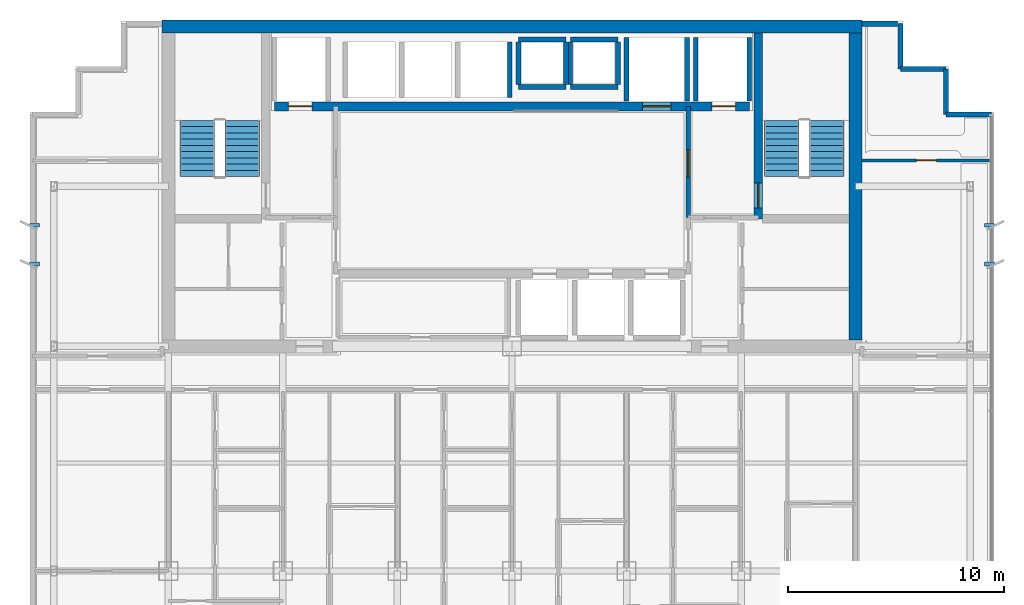
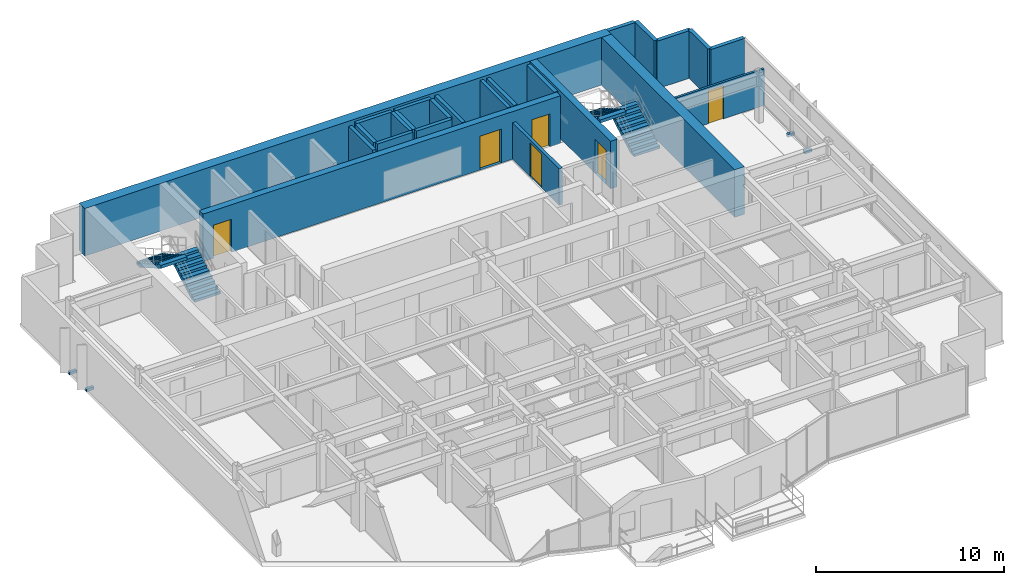
# One storey, part 11 of 13: 24 walls, 6 doors, 4 discrete accessories, 4 stair flights, 6 openings, 2 elements without a shape of their own.
"""IFC4 building model written with IfcOpenShell, lengths in metres."""

from ifc_helpers import new_model, si_unit, direction, frame, frame_2d, origin, origin_2d, place, context, subcontext, project, spatial, polyline, rectangle, outline, extrude, source, transform, mapped, material, layer, layer_set, type_object, element, fill, aggregate, save


model = new_model("IFC4")

# Units and contexts
model_context = context("Model", 3, precision=1e-05, world=origin(), true_north=direction((0.0, 1.0)))
body_context = subcontext(model_context, "Body", "Model", "MODEL_VIEW")
ifc_project = project(units=[si_unit("LENGTHUNIT", "METRE"), si_unit("AREAUNIT", "SQUARE_METRE"), si_unit("VOLUMEUNIT", "CUBIC_METRE"), si_unit("PLANEANGLEUNIT", "RADIAN"), si_unit("MASSUNIT", "GRAM", prefix="KILO")], contexts=[model_context])

# Site, building, storey
site_placement = place(None, origin())
site = spatial("IfcSite", under=ifc_project, at=site_placement, CompositionType="ELEMENT")
building_placement = place(site_placement, origin())
building = spatial("IfcBuilding", under=site, at=building_placement, Name="Qianlan Lanfeng Residences", CompositionType="ELEMENT")
storey_placement = place(building_placement, frame((0.0, 0.0, 159.0)))
storey = spatial("IfcBuildingStorey", under=building, at=storey_placement, Name="L43", CompositionType="ELEMENT", Elevation=159.0)

# Wall, opening, door
ifc_material_1 = material(Name="Concrete C56", Category="concrete")
ifc_layer_1 = layer(ifc_material_1, 0.39990234375)
ifc_layer_set_1 = layer_set([ifc_layer_1], Name="Concrete C56")
wall_type_1 = type_object("IfcWallType", Name="CW-RC-400", PredefinedType="SHEAR", material=ifc_layer_set_1)
wall_1_placement = place(storey_placement, frame((37.89990234375, 31.10009765625, 0.0), z_axis=(0.0, 0.0, 1.0), x_axis=(0.0, 1.0, 0.0)))
wall_1 = element("IfcWall", 1, at=wall_1_placement, inside=storey, type_object=wall_type_1, Name="L43 Core Shear Wall ST2W", PredefinedType="SHEAR", context=body_context, shape_type="SweptSolid", body=[
    extrude(rectangle(XDim=8.599853515625, YDim=0.39990234375, at=frame_2d((4.2998046875, 0.0))), origin(), (0.0, 0.0, 1.0), 3.10009765625),
])
opening_1_placement = place(wall_1_placement, frame((0.510009765625, 0.0, 0.0)))
opening_1 = element("IfcOpeningElement", 2, at=opening_1_placement, cuts=wall_1, Name="Opening L43-D08", PredefinedType="OPENING", context=body_context, shape_type="SweptSolid", body=[
    extrude(rectangle(XDim=1.14990234375, YDim=2.199951171875, at=frame_2d((0.574951171875, 1.10009765625))), frame((0.0, 0.2099609375, 0.0), z_axis=(0.0, -1.0, 0.0), x_axis=(1.0, 0.0, 0.0)), (0.0, 0.0, 1.0), 0.419921875),
])
ifc_material_2 = material(Name="Painted Galvanised Steel Fire Door", Category="steel")
door_type_1 = type_object("IfcDoorType", Name="DT-ST1", OperationType="NOTDEFINED", PredefinedType="DOOR", material=ifc_material_2)
door_1_placement = place(opening_1_placement, origin())
door_1 = element("IfcDoor", 3, at=door_1_placement, inside=storey, type_object=door_type_1, Name="L43 Exit Stair ST-2 Door L43-D08 (DT-ST1)", OperationType="SINGLE_SWING_RIGHT", OverallHeight=2.199951171875, OverallWidth=1.14990234375, PredefinedType="DOOR", context=body_context, shape_type="SweptSolid", body=[
    extrude(rectangle(XDim=1.14990234375, YDim=2.199951171875, at=frame_2d((0.574951171875, 1.10009765625))), frame((0.0, 0.02490234375, 0.0), z_axis=(0.0, -1.0, 0.0), x_axis=(1.0, 0.0, 0.0)), (0.0, 0.0, 1.0), 0.050048828125),
])
fill(opening_1, door_1)

# Wall, openings, doors
wall_2_placement = place(storey_placement, frame((15.5, 36.300048828125, 0.0), z_axis=(0.0, 0.0, 1.0), x_axis=(1.0, 0.0, 0.0)))
wall_2 = element("IfcWall", 4, at=wall_2_placement, inside=storey, type_object=wall_type_1, Name="L43 Core Shear Wall LBN", PredefinedType="SHEAR", context=body_context, shape_type="SweptSolid", body=[
    extrude(rectangle(XDim=22.0, YDim=0.39990234375, at=frame_2d((11.0, 0.0))), origin(), (0.0, 0.0, 1.0), 3.10009765625),
])
opening_2_placement = place(wall_2_placement, frame((0.64990234375, 0.0, 0.0)))
opening_2 = element("IfcOpeningElement", 5, at=opening_2_placement, cuts=wall_2, Name="Opening L43-LD-FFL-1", PredefinedType="OPENING", context=body_context, shape_type="SweptSolid", body=[
    extrude(rectangle(XDim=1.10009765625, YDim=2.14990234375, at=frame_2d((0.550048828125, 1.074951171875))), frame((0.0, 0.2099609375, 0.0), z_axis=(0.0, -1.0, 0.0), x_axis=(1.0, 0.0, 0.0)), (0.0, 0.0, 1.0), 0.419921875),
])
opening_3_placement = place(wall_2_placement, frame((20.25, 0.0, 0.0)))
opening_3 = element("IfcOpeningElement", 6, at=opening_3_placement, cuts=wall_2, Name="Opening L43-LD-FFL-2", PredefinedType="OPENING", context=body_context, shape_type="SweptSolid", body=[
    extrude(rectangle(XDim=1.10009765625, YDim=2.14990234375, at=frame_2d((0.550048828125, 1.074951171875))), frame((0.0, 0.2099609375, 0.0), z_axis=(0.0, -1.0, 0.0), x_axis=(1.0, 0.0, 0.0)), (0.0, 0.0, 1.0), 0.419921875),
])
opening_4_placement = place(wall_2_placement, frame((17.050048828125, 0.0, 0.0)))
opening_4 = element("IfcOpeningElement", 7, at=opening_4_placement, cuts=wall_2, Name="Opening L43-LD-SVL-1", PredefinedType="OPENING", context=body_context, shape_type="SweptSolid", body=[
    extrude(rectangle(XDim=1.300048828125, YDim=2.199951171875, at=frame_2d((0.64990234375, 1.10009765625))), frame((0.0, 0.2099609375, 0.0), z_axis=(0.0, -1.0, 0.0), x_axis=(1.0, 0.0, 0.0)), (0.0, 0.0, 1.0), 0.419921875),
])
ifc_material_3 = material(Name="Brushed Stainless Steel Sliding Lift Door", Category="steel")
door_type_2 = type_object("IfcDoorType", Name="LD-01", OperationType="NOTDEFINED", PredefinedType="DOOR", material=ifc_material_3)
door_2_placement = place(opening_2_placement, frame((1.10009765625, 0.0, 0.0), z_axis=(0.0, 0.0, 1.0), x_axis=(-1.0, 0.0, 0.0)))
door_2 = element("IfcDoor", 8, at=door_2_placement, inside=storey, type_object=door_type_2, Name="L43 Elevator FFL-1 Sliding Landing Door", OperationType="DOUBLE_DOOR_SLIDING", OverallHeight=2.14990234375, OverallWidth=1.10009765625, PredefinedType="DOOR", context=body_context, shape_type="SweptSolid", body=[
    extrude(rectangle(XDim=1.10009765625, YDim=2.14990234375, at=frame_2d((0.550048828125, 1.074951171875))), frame((0.0, 0.02490234375, 0.0), z_axis=(0.0, -1.0, 0.0), x_axis=(1.0, 0.0, 0.0)), (0.0, 0.0, 1.0), 0.050048828125),
])
fill(opening_2, door_2)
door_3_placement = place(opening_3_placement, frame((1.10009765625, 0.0, 0.0), z_axis=(0.0, 0.0, 1.0), x_axis=(-1.0, 0.0, 0.0)))
door_3 = element("IfcDoor", 9, at=door_3_placement, inside=storey, type_object=door_type_2, Name="L43 Elevator FFL-2 Sliding Landing Door", OperationType="DOUBLE_DOOR_SLIDING", OverallHeight=2.14990234375, OverallWidth=1.10009765625, PredefinedType="DOOR", context=body_context, shape_type="SweptSolid", body=[
    extrude(rectangle(XDim=1.10009765625, YDim=2.14990234375, at=frame_2d((0.550048828125, 1.074951171875))), frame((0.0, 0.02490234375, 0.0), z_axis=(0.0, -1.0, 0.0), x_axis=(1.0, 0.0, 0.0)), (0.0, 0.0, 1.0), 0.050048828125),
])
fill(opening_3, door_3)
door_type_3 = type_object("IfcDoorType", Name="LD-02", OperationType="NOTDEFINED", PredefinedType="DOOR", material=ifc_material_3)
door_4_placement = place(opening_4_placement, frame((1.300048828125, 0.0, 0.0), z_axis=(0.0, 0.0, 1.0), x_axis=(-1.0, 0.0, 0.0)))
door_4 = element("IfcDoor", 10, at=door_4_placement, inside=storey, type_object=door_type_3, Name="L43 Elevator SVL-1 Sliding Landing Door", OperationType="DOUBLE_DOOR_SLIDING", OverallHeight=2.199951171875, OverallWidth=1.300048828125, PredefinedType="DOOR", context=body_context, shape_type="SweptSolid", body=[
    extrude(rectangle(XDim=1.300048828125, YDim=2.199951171875, at=frame_2d((0.64990234375, 1.10009765625))), frame((0.0, 0.02490234375, 0.0), z_axis=(0.0, -1.0, 0.0), x_axis=(1.0, 0.0, 0.0)), (0.0, 0.0, 1.0), 0.050048828125),
])
fill(opening_4, door_4)

# Walls
ifc_layer_2 = layer(ifc_material_1, 0.60009765625)
ifc_layer_set_2 = layer_set([ifc_layer_2], Name="Concrete C56")
wall_type_2 = type_object("IfcWallType", Name="CW-RC-600", PredefinedType="SHEAR", material=ifc_layer_set_2)
wall_3_placement = place(storey_placement, frame((10.300048828125, 40.0, 0.0), z_axis=(0.0, 0.0, 1.0), x_axis=(1.0, 0.0, 0.0)))
element("IfcWall", 11, at=wall_3_placement, inside=storey, type_object=wall_type_2, Name="L43 Core Shear Wall N", PredefinedType="SHEAR", context=body_context, shape_type="SweptSolid", body=[
    extrude(rectangle(XDim=32.39990234375, YDim=0.60009765625, at=frame_2d((16.199951171875, 0.0))), origin(), (0.0, 0.0, 1.0), 3.10009765625),
])
wall_4_placement = place(storey_placement, frame((42.39990234375, 25.5, 0.0), z_axis=(0.0, 0.0, 1.0), x_axis=(0.0, 1.0, 0.0)))
element("IfcWall", 12, at=wall_4_placement, inside=storey, type_object=wall_type_2, Name="L43 Core Shear Wall E", PredefinedType="SHEAR", context=body_context, shape_type="SweptSolid", body=[
    extrude(rectangle(XDim=14.199951171875, YDim=0.60009765625, at=frame_2d((7.10009765625, 0.0))), origin(), (0.0, 0.0, 1.0), 3.10009765625),
])
ifc_material_4 = material(Name="Concrete C42", Category="concrete")
ifc_layer_3 = layer(ifc_material_4, 0.239990234375)
ifc_layer_set_3 = layer_set([ifc_layer_3], Name="Concrete C42")
wall_type_3 = type_object("IfcWallType", Name="EW-240", PredefinedType="SOLIDWALL", material=ifc_layer_set_3)
wall_5_placement = place(storey_placement, frame((48.679931640625, 35.929931640625, 0.0), z_axis=(0.0, 0.0, 1.0), x_axis=(-1.0, 0.0, 0.0)))
element("IfcWall", 13, at=wall_5_placement, inside=storey, type_object=wall_type_3, Name="L43 Exterior Facade Spandrel Wall 11", PredefinedType="SOLIDWALL", context=body_context, shape_type="SweptSolid", body=[
    extrude(rectangle(XDim=2.099853515625, YDim=0.239990234375, at=frame_2d((1.0498046875, 0.0))), origin(), (0.0, 0.0, 1.0), 3.10009765625),
])
for number, where, z_axis, x_axis, name in (
    (14, (46.580078125, 35.929931640625, 0.0), (0.0, 0.0, 1.0), (0.0, 1.0, 0.0), "L43 Exterior Facade Spandrel Wall 12"),
    (15, (46.580078125, 38.030029296875, 0.0), (0.0, 0.0, 1.0), (-1.0, 0.0, 0.0), "L43 Exterior Facade Spandrel Wall 13"),
):
    element("IfcWall", number, at=place(storey_placement, frame(where, z_axis=z_axis, x_axis=x_axis)), inside=storey, type_object=wall_type_3, Name=name, PredefinedType="SOLIDWALL", context=body_context, shape_type="SweptSolid", body=[
        extrude(rectangle(XDim=2.10009765625, YDim=0.239990234375, at=frame_2d((1.050048828125, 0.0))), origin(), (0.0, 0.0, 1.0), 3.10009765625),
    ])
wall_6_placement = place(storey_placement, frame((44.47998046875, 38.030029296875, 0.0), z_axis=(0.0, 0.0, 1.0), x_axis=(0.0, 1.0, 0.0)))
element("IfcWall", 16, at=wall_6_placement, inside=storey, type_object=wall_type_3, Name="L43 Exterior Facade Spandrel Wall 14", PredefinedType="SOLIDWALL", context=body_context, shape_type="SweptSolid", body=[
    extrude(rectangle(XDim=2.099853515625, YDim=0.239990234375, at=frame_2d((1.0498046875, 0.0))), origin(), (0.0, 0.0, 1.0), 3.10009765625),
])
wall_7_placement = place(storey_placement, frame((44.35009765625, 40.1298828125, 0.0), z_axis=(0.0, 0.0, 1.0), x_axis=(-1.0, 0.0, 0.0)))
element("IfcWall", 17, at=wall_7_placement, inside=storey, type_object=wall_type_3, Name="L43 North Wing Exterior Wall E", PredefinedType="SOLIDWALL", context=body_context, shape_type="SweptSolid", body=[
    extrude(rectangle(XDim=1.650146484375, YDim=0.239990234375, at=frame_2d((0.8251953125, 0.0))), origin(), (0.0, 0.0, 1.0), 3.10009765625),
])

# Wall, opening, door
ifc_material_5 = material(Name="Moisture-Resistant Gypsum Partition 135 mm")
ifc_layer_4 = layer(ifc_material_5, 0.135009765625)
ifc_layer_set_4 = layer_set([ifc_layer_4], Name="Moisture-Resistant Gypsum Partition 135 mm")
wall_type_4 = type_object("IfcWallType", Name="PW-135", PredefinedType="PARTITIONING", material=ifc_layer_set_4)
wall_8_placement = place(storey_placement, frame((42.699951171875, 33.800048828125, 0.0), z_axis=(0.0, 0.0, 1.0), x_axis=(1.0, 0.0, 0.0)))
wall_8 = element("IfcWall", 18, at=wall_8_placement, inside=storey, type_object=wall_type_4, Name="L43 EW North Wing Wall", PredefinedType="PARTITIONING", context=body_context, shape_type="SweptSolid", body=[
    extrude(rectangle(XDim=5.97998046875, YDim=0.135009765625, at=frame_2d((2.989990234375, 0.0))), origin(), (0.0, 0.0, 1.0), 2.3798828125),
])
opening_5_placement = place(wall_8_placement, frame((2.530029296875, 0.0, 0.0)))
opening_5 = element("IfcOpeningElement", 19, at=opening_5_placement, cuts=wall_8, Name="Opening L43-D53", PredefinedType="OPENING", context=body_context, shape_type="SweptSolid", body=[
    extrude(rectangle(XDim=0.919921875, YDim=2.14990234375, at=frame_2d((0.4599609375, 1.074951171875))), frame((0.0, 0.07763671875, 0.0), z_axis=(0.0, -1.0, 0.0), x_axis=(1.0, 0.0, 0.0)), (0.0, 0.0, 1.0), 0.155029296875),
])
ifc_material_6 = material(Name="Glazed Timber Kitchen/Study Door", Category="wood")
door_type_4 = type_object("IfcDoorType", Name="DT-INT", OperationType="NOTDEFINED", PredefinedType="DOOR", material=ifc_material_6)
door_5_placement = place(opening_5_placement, origin())
door_5 = element("IfcDoor", 20, at=door_5_placement, inside=storey, type_object=door_type_4, Name="L43 EW Inner Salon Door L43-D53 (DT-INT)", OperationType="SINGLE_SWING_RIGHT", OverallHeight=2.14990234375, OverallWidth=0.919921875, PredefinedType="DOOR", context=body_context, shape_type="SweptSolid", body=[
    extrude(rectangle(XDim=0.919921875, YDim=2.14990234375, at=frame_2d((0.4599609375, 1.074951171875))), frame((0.0, 0.02490234375, 0.0), z_axis=(0.0, -1.0, 0.0), x_axis=(1.0, 0.0, 0.0)), (0.0, 0.0, 1.0), 0.050048828125),
])
fill(opening_5, door_5)

ifc_material_7 = material(Name="Autoclaved Aerated Concrete Blockwork 200 mm", Category="masonry")
ifc_layer_5 = layer(ifc_material_7, 0.199951171875)
ifc_layer_set_5 = layer_set([ifc_layer_5], Name="Autoclaved Aerated Concrete Blockwork 200 mm")
wall_type_5 = type_object("IfcWallType", Name="PW-200", PredefinedType="PARTITIONING", material=ifc_layer_set_5)
wall_9_placement = place(storey_placement, frame((34.64990234375, 31.14990234375, 0.0), z_axis=(0.0, 0.0, 1.0), x_axis=(0.0, 1.0, 0.0)))
wall_9 = element("IfcWall", 21, at=wall_9_placement, inside=storey, type_object=wall_type_5, Name="L43 Firefighting Lobby 2 West Wall", PredefinedType="PARTITIONING", context=body_context, shape_type="SweptSolid", body=[
    extrude(rectangle(XDim=5.150146484375, YDim=0.199951171875, at=frame_2d((2.5751953125, 0.0))), origin(), (0.0, 0.0, 1.0), 2.3798828125),
])
opening_6_placement = place(wall_9_placement, frame((1.875, 0.0, 0.0)))
opening_6 = element("IfcOpeningElement", 22, at=opening_6_placement, cuts=wall_9, Name="Opening L43-D06", PredefinedType="OPENING", context=body_context, shape_type="SweptSolid", body=[
    extrude(rectangle(XDim=1.25, YDim=2.199951171875, at=frame_2d((0.625, 1.10009765625))), frame((0.0, 0.10986328125, 0.0), z_axis=(0.0, -1.0, 0.0), x_axis=(1.0, 0.0, 0.0)), (0.0, 0.0, 1.0), 0.219970703125),
])
door_type_5 = type_object("IfcDoorType", Name="DT-FFL", OperationType="NOTDEFINED", PredefinedType="DOOR", material=ifc_material_2)
door_6_placement = place(opening_6_placement, origin())
door_6 = element("IfcDoor", 23, at=door_6_placement, inside=storey, type_object=door_type_5, Name="L43 Firefighting Lobby 2 Lift Lobby Door L43-D06 (DT-FFL)", OperationType="SINGLE_SWING_LEFT", OverallHeight=2.199951171875, OverallWidth=1.25, PredefinedType="DOOR", context=body_context, shape_type="SweptSolid", body=[
    extrude(rectangle(XDim=1.25, YDim=2.199951171875, at=frame_2d((0.625, 1.10009765625))), frame((0.0, 0.02490234375, 0.0), z_axis=(0.0, -1.0, 0.0), x_axis=(1.0, 0.0, 0.0)), (0.0, 0.0, 1.0), 0.050048828125),
])
fill(opening_6, door_6)

# Walls
ifc_material_8 = material(Name="Concrete C49", Category="concrete")
ifc_layer_6 = layer(ifc_material_8, 0.219970703125)
ifc_layer_set_6 = layer_set([ifc_layer_6], Name="Concrete C49")
wall_type_6 = type_object("IfcWallType", Name="SHW-220", PredefinedType="SOLIDWALL", material=ifc_layer_set_6)
for number, where, z_axis, x_axis, name in (
    (24, (35.0, 36.550048828125, 0.0), (0.0, 0.0, 1.0), (0.0, 1.0, 0.0), "L43 Lift FFL-2 Shaft Wall W"),
    (25, (37.47998046875, 36.550048828125, 0.0), (0.0, 0.0, 1.0), (0.0, 1.0, 0.0), "L43 Lift FFL-2 Shaft Wall E"),
    (26, (31.800048828125, 36.550048828125, 0.0), (0.0, 0.0, 1.0), (0.0, 1.0, 0.0), "L43 Lift SVL-1 Shaft Wall W"),
    (27, (34.60009765625, 36.550048828125, 0.0), (0.0, 0.0, 1.0), (0.0, 1.0, 0.0), "L43 Lift SVL-1 Shaft Wall E"),
):
    element("IfcWall", number, at=place(storey_placement, frame(where, z_axis=z_axis, x_axis=x_axis)), inside=storey, type_object=wall_type_6, Name=name, PredefinedType="SOLIDWALL", context=body_context, shape_type="SweptSolid", body=[
        extrude(rectangle(XDim=2.929931640625, YDim=0.219970703125, at=frame_2d((1.46484375, 0.0))), origin(), (0.0, 0.0, 1.0), 3.10009765625),
    ])
wall_10_placement = place(storey_placement, frame((26.39990234375, 36.719970703125, 0.0), z_axis=(0.0, 0.0, 1.0), x_axis=(0.0, 1.0, 0.0)))
element("IfcWall", 28, at=wall_10_placement, inside=storey, type_object=wall_type_6, Name="L43 Lift PL-H3 Shaft Wall E", PredefinedType="SOLIDWALL", context=body_context, shape_type="SweptSolid", body=[
    extrude(rectangle(XDim=2.56005859375, YDim=0.219970703125, at=frame_2d((1.280029296875, 0.0))), origin(), (0.0, 0.0, 1.0), 3.10009765625),
])
for number, where, z_axis, x_axis, name in (
    (29, (26.800048828125, 37.31005859375, 0.0), (0.0, 0.0, 1.0), (0.0, 1.0, 0.0), "L43 MEP Riser MEP-R1 Shaft Wall W"),
    (30, (29.0, 37.31005859375, 0.0), (0.0, 0.0, 1.0), (0.0, 1.0, 0.0), "L43 MEP Riser MEP-R1 Shaft Wall E"),
):
    element("IfcWall", number, at=place(storey_placement, frame(where, z_axis=z_axis, x_axis=x_axis)), inside=storey, type_object=wall_type_6, Name=name, PredefinedType="SOLIDWALL", context=body_context, shape_type="SweptSolid", body=[
        extrude(rectangle(XDim=1.97998046875, YDim=0.219970703125, at=frame_2d((0.989990234375, 0.0))), origin(), (0.0, 0.0, 1.0), 3.10009765625),
    ])
for number, where, z_axis, x_axis, name in (
    (31, (26.800048828125, 39.39990234375, 0.0), (0.0, 0.0, 1.0), (1.0, 0.0, 0.0), "L43 MEP Riser MEP-R1 Shaft Wall N"),
    (32, (26.800048828125, 37.199951171875, 0.0), (0.0, 0.0, 1.0), (1.0, 0.0, 0.0), "L43 MEP Riser MEP-R1 Shaft Wall S"),
):
    element("IfcWall", number, at=place(storey_placement, frame(where, z_axis=z_axis, x_axis=x_axis)), inside=storey, type_object=wall_type_6, Name=name, PredefinedType="SOLIDWALL", context=body_context, shape_type="SweptSolid", body=[
        extrude(rectangle(XDim=2.199951171875, YDim=0.219970703125, at=frame_2d((1.10009765625, 0.0))), origin(), (0.0, 0.0, 1.0), 3.10009765625),
    ])
for number, where, z_axis, x_axis, name in (
    (33, (29.199951171875, 37.31005859375, 0.0), (0.0, 0.0, 1.0), (0.0, 1.0, 0.0), "L43 MEP Riser MEP-R2 Shaft Wall W"),
    (34, (31.39990234375, 37.31005859375, 0.0), (0.0, 0.0, 1.0), (0.0, 1.0, 0.0), "L43 MEP Riser MEP-R2 Shaft Wall E"),
):
    element("IfcWall", number, at=place(storey_placement, frame(where, z_axis=z_axis, x_axis=x_axis)), inside=storey, type_object=wall_type_6, Name=name, PredefinedType="SOLIDWALL", context=body_context, shape_type="SweptSolid", body=[
        extrude(rectangle(XDim=1.97998046875, YDim=0.219970703125, at=frame_2d((0.989990234375, 0.0))), origin(), (0.0, 0.0, 1.0), 3.10009765625),
    ])
for number, where, z_axis, x_axis, name in (
    (35, (29.199951171875, 39.39990234375, 0.0), (0.0, 0.0, 1.0), (1.0, 0.0, 0.0), "L43 MEP Riser MEP-R2 Shaft Wall N"),
    (36, (29.199951171875, 37.199951171875, 0.0), (0.0, 0.0, 1.0), (1.0, 0.0, 0.0), "L43 MEP Riser MEP-R2 Shaft Wall S"),
):
    element("IfcWall", number, at=place(storey_placement, frame(where, z_axis=z_axis, x_axis=x_axis)), inside=storey, type_object=wall_type_6, Name=name, PredefinedType="SOLIDWALL", context=body_context, shape_type="SweptSolid", body=[
        extrude(rectangle(XDim=2.199951171875, YDim=0.219970703125, at=frame_2d((1.10009765625, 0.0))), origin(), (0.0, 0.0, 1.0), 3.10009765625),
    ])

# Stair, stair flights
stair_type = type_object("IfcStairType", Name="STR-MAIN", PredefinedType="HALF_TURN_STAIR", material=ifc_material_4)
stair_1_placement = place(storey_placement, origin())
stair_1 = element("IfcStair", 37, at=stair_1_placement, inside=storey, type_object=stair_type, Name="L43 Exit Stair ST-1", PredefinedType="HALF_TURN_STAIR")
stair_flight_type = type_object("IfcStairFlightType", Name="FLT-1720", PredefinedType="STRAIGHT", material=ifc_material_4)
stair_flight_1_placement = place(storey_placement, frame((14.02001953125, 33.050048828125, 0.0), z_axis=(0.0, 0.0, 1.0), x_axis=(0.0, 1.0, 0.0)))
stair_flight_1 = element("IfcStairFlight", 38, at=stair_flight_1_placement, type_object=stair_flight_type, Name="ST-1 flight 1", NumberOfRisers=10, NumberOfTreads=9, PredefinedType="STRAIGHT", RiserHeight=0.165, TreadLength=0.29, context=body_context, shape_type="SweptSolid", body=[
    extrude(outline(polyline([(0.0, 0.0), (0.0, 0.1650390625), (0.2900390625, 0.1650390625), (0.2900390625, 0.330078125), (0.580078125, 0.330078125), (0.580078125, 0.4951171875), (0.8701171875, 0.4951171875), (0.8701171875, 0.659912109375), (1.159912109375, 0.659912109375), (1.159912109375, 0.824951171875), (1.449951171875, 0.824951171875), (1.449951171875, 0.989990234375), (1.739990234375, 0.989990234375), (1.739990234375, 1.155029296875), (2.030029296875, 1.155029296875), (2.030029296875, 1.320068359375), (2.320068359375, 1.320068359375), (2.320068359375, 1.485107421875), (2.610107421875, 1.485107421875), (2.610107421875, 1.64990234375), (2.610107421875, 1.278076171875), (0.36376953125, 0.0), (0.0, 0.0)])), frame((0.0, 0.800048828125, 0.0), z_axis=(0.0, -1.0, 0.0), x_axis=(1.0, 0.0, 0.0)), (0.0, 0.0, 1.0), 1.60009765625),
])
stair_flight_2_placement = place(storey_placement, frame((11.93994140625, 35.659912109375, 1.64990234375), z_axis=(0.0, 0.0, 1.0), x_axis=(0.0, -1.0, 0.0)))
stair_flight_2 = element("IfcStairFlight", 39, at=stair_flight_2_placement, type_object=stair_flight_type, Name="ST-1 flight 2", NumberOfRisers=10, NumberOfTreads=9, PredefinedType="STRAIGHT", RiserHeight=0.165, TreadLength=0.29, context=body_context, shape_type="SweptSolid", body=[
    extrude(outline(polyline([(0.0, 0.0), (0.0, 0.1650390625), (0.2900390625, 0.1650390625), (0.2900390625, 0.330078125), (0.580078125, 0.330078125), (0.580078125, 0.4951171875), (0.8701171875, 0.4951171875), (0.8701171875, 0.659912109375), (1.159912109375, 0.659912109375), (1.159912109375, 0.824951171875), (1.449951171875, 0.824951171875), (1.449951171875, 0.989990234375), (1.739990234375, 0.989990234375), (1.739990234375, 1.155029296875), (2.030029296875, 1.155029296875), (2.030029296875, 1.320068359375), (2.320068359375, 1.320068359375), (2.320068359375, 1.485107421875), (2.610107421875, 1.485107421875), (2.610107421875, 1.64990234375), (2.610107421875, 1.278076171875), (0.36376953125, 0.0), (0.0, 0.0)])), frame((0.0, 0.800048828125, 0.0), z_axis=(0.0, -1.0, 0.0), x_axis=(1.0, 0.0, 0.0)), (0.0, 0.0, 1.0), 1.60009765625),
])
aggregate(stair_1, [stair_flight_1, stair_flight_2])

stair_2_placement = place(storey_placement, origin())
stair_2 = element("IfcStair", 40, at=stair_2_placement, inside=storey, type_object=stair_type, Name="L43 Exit Stair ST-2", PredefinedType="HALF_TURN_STAIR")
stair_flight_3_placement = place(storey_placement, frame((41.06005859375, 33.050048828125, 0.0), z_axis=(0.0, 0.0, 1.0), x_axis=(0.0, 1.0, 0.0)))
stair_flight_3 = element("IfcStairFlight", 41, at=stair_flight_3_placement, type_object=stair_flight_type, Name="ST-2 flight 1", NumberOfRisers=10, NumberOfTreads=9, PredefinedType="STRAIGHT", RiserHeight=0.165, TreadLength=0.29, context=body_context, shape_type="SweptSolid", body=[
    extrude(outline(polyline([(0.0, 0.0), (0.0, 0.1650390625), (0.2900390625, 0.1650390625), (0.2900390625, 0.330078125), (0.580078125, 0.330078125), (0.580078125, 0.4951171875), (0.8701171875, 0.4951171875), (0.8701171875, 0.659912109375), (1.159912109375, 0.659912109375), (1.159912109375, 0.824951171875), (1.449951171875, 0.824951171875), (1.449951171875, 0.989990234375), (1.739990234375, 0.989990234375), (1.739990234375, 1.155029296875), (2.030029296875, 1.155029296875), (2.030029296875, 1.320068359375), (2.320068359375, 1.320068359375), (2.320068359375, 1.485107421875), (2.610107421875, 1.485107421875), (2.610107421875, 1.64990234375), (2.610107421875, 1.278076171875), (0.36376953125, 0.0), (0.0, 0.0)])), frame((0.0, 0.800048828125, 0.0), z_axis=(0.0, -1.0, 0.0), x_axis=(1.0, 0.0, 0.0)), (0.0, 0.0, 1.0), 1.60009765625),
])
stair_flight_4_placement = place(storey_placement, frame((38.97998046875, 35.659912109375, 1.64990234375), z_axis=(0.0, 0.0, 1.0), x_axis=(0.0, -1.0, 0.0)))
stair_flight_4 = element("IfcStairFlight", 42, at=stair_flight_4_placement, type_object=stair_flight_type, Name="ST-2 flight 2", NumberOfRisers=10, NumberOfTreads=9, PredefinedType="STRAIGHT", RiserHeight=0.165, TreadLength=0.29, context=body_context, shape_type="SweptSolid", body=[
    extrude(outline(polyline([(0.0, 0.0), (0.0, 0.1650390625), (0.2900390625, 0.1650390625), (0.2900390625, 0.330078125), (0.580078125, 0.330078125), (0.580078125, 0.4951171875), (0.8701171875, 0.4951171875), (0.8701171875, 0.659912109375), (1.159912109375, 0.659912109375), (1.159912109375, 0.824951171875), (1.449951171875, 0.824951171875), (1.449951171875, 0.989990234375), (1.739990234375, 0.989990234375), (1.739990234375, 1.155029296875), (2.030029296875, 1.155029296875), (2.030029296875, 1.320068359375), (2.320068359375, 1.320068359375), (2.320068359375, 1.485107421875), (2.610107421875, 1.485107421875), (2.610107421875, 1.64990234375), (2.610107421875, 1.278076171875), (0.36376953125, 0.0), (0.0, 0.0)])), frame((0.0, 0.800048828125, 0.0), z_axis=(0.0, -1.0, 0.0), x_axis=(1.0, 0.0, 0.0)), (0.0, 0.0, 1.0), 1.60009765625),
])
aggregate(stair_2, [stair_flight_3, stair_flight_4])

# Discrete accessories
ifc_material_9 = material(Name="Stainless Steel Facade Bracket", Category="steel")
discrete_accessory_type = type_object("IfcDiscreteAccessoryType", Name="BRK-SS-350", PredefinedType="BRACKET", material=ifc_material_9)
shared_shape = source(origin(), body_context, "Body", "SweptSolid", [
    extrude(rectangle(XDim=0.449951171875, YDim=0.179931640625, at=origin_2d()), origin(), (0.0, 0.0, 1.0), 0.179931640625),
])
for number, where, z_axis, x_axis, name in (
    (43, (4.39990234375, 29.0, -0.14990234375), (0.0, 0.0, 1.0), (1.0, 0.0, 0.0), "L43 Raked Solar Fin Support Bracket W1"),
    (44, (4.39990234375, 30.800048828125, -0.14990234375), (0.0, 0.0, 1.0), (1.0, 0.0, 0.0), "L43 Raked Solar Fin Support Bracket W2"),
    (45, (48.60009765625, 29.0, -0.14990234375), (0.0, 0.0, 1.0), (1.0, 0.0, 0.0), "L43 Raked Solar Fin Support Bracket E1"),
    (46, (48.60009765625, 30.800048828125, -0.14990234375), (0.0, 0.0, 1.0), (1.0, 0.0, 0.0), "L43 Raked Solar Fin Support Bracket E2"),
):
    element("IfcDiscreteAccessory", number, at=place(storey_placement, frame(where, z_axis=z_axis, x_axis=x_axis)), inside=storey, type_object=discrete_accessory_type, Name=name, PredefinedType="BRACKET", context=body_context, shape_type="MappedRepresentation", body=[
        mapped(shared_shape, transform((0.0, 0.0, 0.0), scale=1.0)),
    ])

save(model, "model.ifc")
